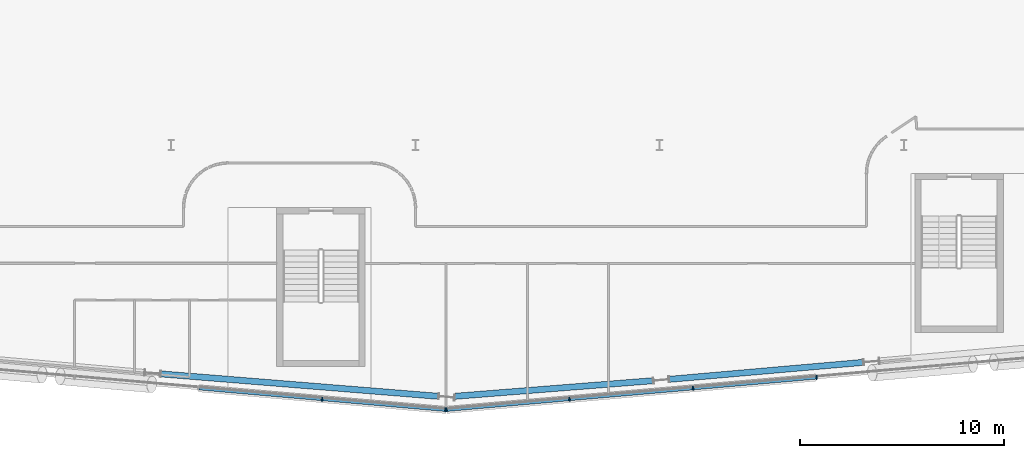
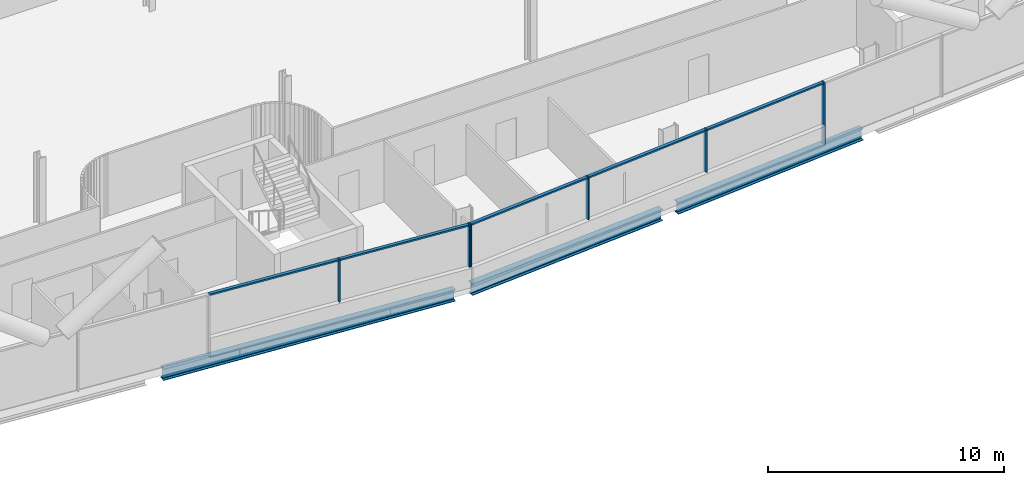
# One storey, part 7 of 31: 11 members, 3 beams, 2 elements without a shape of their own.
"""IFC4 building model written with IfcOpenShell, lengths in metres."""

import ifcopenshell
import ifcopenshell.guid

model = None  # the IFC model being written
_history = None  # IfcOwnerHistory: only IFC2X3 demands one
_inside = {}  # id of a spatial element -> (the spatial element, [elements in it])
_under = {}  # id of a project, library or spatial element -> (it, [spatial elements below it])
_declared = {}  # id of a project -> (the project, [libraries it declares])
_typed = {}  # id of a type object -> (the type object, [elements of that type])
_made_of = {}  # id of a material, layer set ... -> (it, [elements and type objects made of it])


def new_model(schema):
    """Start an empty IFC model of exactly this schema.

    Asked for "IFC4X3", IfcOpenShell would pick the latest addendum, in which some entities
    have other attributes; the version numbers below select the first issue.
    IFC2X3 requires an IfcOwnerHistory on every rooted entity: one is made here for all.
    """
    global model, _history
    if schema == "IFC4X3":
        model = ifcopenshell.file(schema_version=(4, 3, 0, 0))
    else:
        model = ifcopenshell.file(schema=schema)
    _inside.clear()
    _under.clear()
    _declared.clear()
    _typed.clear()
    _made_of.clear()
    _history = None
    if model.schema == "IFC2X3":
        org = make("IfcOrganization", Name="unknown")
        user = make(
            "IfcPersonAndOrganization",
            ThePerson=make("IfcPerson", FamilyName="unknown"),
            TheOrganization=org,
        )
        app = make(
            "IfcApplication",
            ApplicationDeveloper=org,
            Version="unknown",
            ApplicationFullName="unknown",
            ApplicationIdentifier="unknown",
        )
        _history = make(
            "IfcOwnerHistory",
            OwningUser=user,
            OwningApplication=app,
            ChangeAction="ADDED",
            CreationDate=0,
        )
    return model


def make(cls, **values):
    """One entity of the class cls with the attributes given. An attribute that is None is left unset."""
    return model.create_entity(
        cls, **{name: value for name, value in values.items() if value is not None}
    )


def rooted(cls, **values):
    """An entity with a GlobalId (a new one), such as an element, a storey or a relation."""
    return make(cls, GlobalId=ifcopenshell.guid.new(), OwnerHistory=_history, **values)


def si_unit(unit_type, name, prefix=None):
    """IfcSIUnit, for example si_unit("LENGTHUNIT", "METRE", prefix="MILLI")."""
    return make("IfcSIUnit", UnitType=unit_type, Prefix=prefix, Name=name)


def assignment(units):
    """IfcUnitAssignment: the units of a project."""
    return None if units is None else make("IfcUnitAssignment", Units=units)


def point(xyz):
    """IfcCartesianPoint."""
    return None if xyz is None else make("IfcCartesianPoint", Coordinates=xyz)


def direction(xyz):
    """IfcDirection."""
    return None if xyz is None else make("IfcDirection", DirectionRatios=xyz)


def frame(location, z_axis=None, x_axis=None):
    """IfcAxis2Placement3D, a coordinate frame: its origin and axes. An axis left out is left unset."""
    return make(
        "IfcAxis2Placement3D",
        Location=point(location),
        Axis=direction(z_axis),
        RefDirection=direction(x_axis),
    )


def frame_2d(location, x_axis=None):
    """IfcAxis2Placement2D, a coordinate frame in the plane: its origin and x axis."""
    return make(
        "IfcAxis2Placement2D", Location=point(location), RefDirection=direction(x_axis)
    )


def origin():
    """The frame at (0, 0, 0) with its axes left unset."""
    return frame((0.0, 0.0, 0.0))


def origin_2d():
    """The frame at (0, 0) in the plane with its x axis left unset."""
    return frame_2d((0.0, 0.0))


def place(relative_to, where):
    """IfcLocalPlacement: puts the frame where relative to a parent placement (None: the world)."""
    return make(
        "IfcLocalPlacement", PlacementRelTo=relative_to, RelativePlacement=where
    )


def context(
    kind, dimensions, precision=None, world=None, true_north=None, identifier=None
):
    """IfcGeometricRepresentationContext, for example the 3D "Model" context."""
    return make(
        "IfcGeometricRepresentationContext",
        ContextIdentifier=identifier,
        ContextType=kind,
        CoordinateSpaceDimension=dimensions,
        Precision=precision,
        WorldCoordinateSystem=world,
        TrueNorth=true_north,
    )


def subcontext(parent, identifier, kind, view, scale=None):
    """IfcGeometricRepresentationSubContext, for example "Body" below "Model"."""
    return make(
        "IfcGeometricRepresentationSubContext",
        ContextIdentifier=identifier,
        ContextType=kind,
        ParentContext=parent,
        TargetScale=scale,
        TargetView=view,
    )


def project(units=None, contexts=None):
    """IfcProject with its units and contexts."""
    return rooted(
        "IfcProject",
        Name="project",
        RepresentationContexts=contexts,
        UnitsInContext=assignment(units),
    )


def spatial(cls, under=None, at=None, **own):
    """A site, building, storey or space (cls), placed at a placement, below another one or the project."""
    s = rooted(cls, ObjectPlacement=at, **own)
    if under is not None:
        _under.setdefault(under.id(), (under, []))[1].append(s)
    return s


def profile(cls, at=None, kind="AREA", **sizes):
    """A parametric profile (cls). Its sizes go by their IFC names, for example OverallWidth=200.0."""
    return make(cls, ProfileType=kind, Position=at, **sizes)


def rectangle(**sizes):
    """IfcRectangleProfileDef."""
    return profile("IfcRectangleProfileDef", **sizes)


def i_section(**sizes):
    """IfcIShapeProfileDef."""
    return profile("IfcIShapeProfileDef", **sizes)


def extrude(swept, where, along, depth):
    """IfcExtrudedAreaSolid: the profile swept, set in the frame where, extruded along a direction by depth."""
    return make(
        "IfcExtrudedAreaSolid",
        SweptArea=swept,
        Position=where,
        ExtrudedDirection=direction(along),
        Depth=depth,
    )


def shape(context_of_items, identifier, shape_type, items):
    """IfcShapeRepresentation: the items that make up one representation, for example the "Body"."""
    return make(
        "IfcShapeRepresentation",
        ContextOfItems=context_of_items,
        RepresentationIdentifier=identifier,
        RepresentationType=shape_type,
        Items=items,
    )


def material(Name=None, Category=None):
    """IfcMaterial."""
    return make("IfcMaterial", Name=Name, Category=Category)


def material_profile(
    of_material, cross_section, Name=None, Category=None, Priority=None
):
    """IfcMaterialProfile: a cross section and its material."""
    return make(
        "IfcMaterialProfile",
        Name=Name,
        Material=of_material,
        Profile=cross_section,
        Priority=Priority,
        Category=Category,
    )


def profile_set(profiles, Name=None, composite=None):
    """IfcMaterialProfileSet."""
    return make(
        "IfcMaterialProfileSet",
        Name=Name,
        MaterialProfiles=profiles,
        CompositeProfile=composite,
    )


def made_of(thing, what):
    """Note that an element or type object is made of a material, layer set ...; save() writes the relation."""
    if what is not None:
        _made_of.setdefault(what.id(), (what, []))[1].append(thing)
    return thing


def type_object(cls, material=None, **own):
    """A type object (cls), such as IfcWallType, which elements share."""
    return made_of(rooted(cls, **own), material)


def element(
    cls,
    number,
    at=None,
    inside=None,
    cuts=None,
    type_object=None,
    material=None,
    context=None,
    identifier="Body",
    shape_type=None,
    held_by="IfcProductDefinitionShape",
    body=None,
    shapes=None,
    **own,
):
    """One element of the class cls, such as IfcWall. Its Tag is "e" and its number.

    at: its placement. inside: the storey or other place that contains it. cuts: it is an
    opening in that element (IfcRelVoidsElement). A single representation is given by context,
    identifier, shape_type and body (its items); several are given by shapes. held_by: the class
    of the entity that holds the representations. save() writes the other relations.
    """
    e = rooted(cls, Tag="e%d" % number, ObjectPlacement=at, **own)
    if body is not None:
        shapes = [shape(context, identifier, shape_type, body)]
    if shapes is not None:
        e.Representation = make(held_by, Representations=shapes)
    if inside is not None:
        _inside.setdefault(inside.id(), (inside, []))[1].append(e)
    if cuts is not None:
        rooted(
            "IfcRelVoidsElement", RelatingBuildingElement=cuts, RelatedOpeningElement=e
        )
    if type_object is not None:
        _typed.setdefault(type_object.id(), (type_object, []))[1].append(e)
    return made_of(e, material)


def aggregate(whole, parts):
    """IfcRelAggregates: a whole, such as a stair, and the parts it consists of."""
    return rooted("IfcRelAggregates", RelatingObject=whole, RelatedObjects=parts)


def save(model, path):
    """Write the relations noted so far, then the file.

    IfcRelAggregates (storeys below a building ...), IfcRelContainedInSpatialStructure (elements
    in a storey), IfcRelDefinesByType, IfcRelAssociatesMaterial and IfcRelDeclares: one each for
    every whole, place, type object, material and project.
    """
    for whole, parts in _under.values():
        aggregate(whole, parts)
    for where, things in _inside.values():
        rooted(
            "IfcRelContainedInSpatialStructure",
            RelatedElements=things,
            RelatingStructure=where,
        )
    for kind, things in _typed.values():
        rooted("IfcRelDefinesByType", RelatedObjects=things, RelatingType=kind)
    for what, things in _made_of.values():
        rooted("IfcRelAssociatesMaterial", RelatedObjects=things, RelatingMaterial=what)
    for by, libraries in _declared.values():
        rooted("IfcRelDeclares", RelatingContext=by, RelatedDefinitions=libraries)
    model.write(path)


model = new_model("IFC4")

# Units and contexts
model_context = context("Model", 3, precision=1e-05, world=origin(), true_north=direction((0.0, 1.0)))
body_context = subcontext(model_context, "Body", "Model", "MODEL_VIEW")
ifc_project = project(units=[si_unit("LENGTHUNIT", "METRE"), si_unit("AREAUNIT", "SQUARE_METRE"), si_unit("VOLUMEUNIT", "CUBIC_METRE"), si_unit("PLANEANGLEUNIT", "RADIAN"), si_unit("MASSUNIT", "GRAM", prefix="KILO")], contexts=[model_context])

# Site, building, storey
site_placement = place(None, origin())
site = spatial("IfcSite", under=ifc_project, at=site_placement, CompositionType="ELEMENT")
building_placement = place(site_placement, origin())
building = spatial("IfcBuilding", under=site, at=building_placement, Name="Wharfspan Tower", CompositionType="ELEMENT")
storey_placement = place(building_placement, frame((0.0, 0.0, 103.899902)))
storey = spatial("IfcBuildingStorey", under=building, at=storey_placement, Name="L23", CompositionType="ELEMENT", Elevation=103.899902)

# Beams
ifc_material_1 = material(Name="Steel S355J2", Category="steel")
ifc_material_profile_1 = material_profile(ifc_material_1, i_section(OverallWidth=0.300049, OverallDepth=0.600098, WebThickness=0.015381, FlangeThickness=0.030029, FilletRadius=0.0271, at=origin_2d()))
ifc_profile_set_1 = profile_set([ifc_material_profile_1], Name="Steel S355J2")
beam_type = type_object("IfcBeamType", Name="Edge beam HEB 600", PredefinedType="SPANDREL", material=ifc_profile_set_1)
beam_1_placement = place(storey_placement, frame((35.490967, 0.252197, -0.699951), z_axis=(0.996756, -0.080488, 0.0), x_axis=(0.080488, 0.996756, 0.0)))
element("IfcBeam", 1, at=beam_1_placement, inside=storey, type_object=beam_type, Name="Edge beam S1 L23 PS1.3 to PS1.4", PredefinedType="SPANDREL", context=body_context, shape_type="SweptSolid", body=[
    extrude(i_section(OverallWidth=0.300049, OverallDepth=0.600098, WebThickness=0.015381, FlangeThickness=0.030029, FilletRadius=0.0271, at=origin_2d()), origin(), (0.0, 0.0, 1.0), 13.683105),
])
beam_2_placement = place(storey_placement, frame((49.938721, -0.849365, -0.699951), z_axis=(0.996913, 0.078508, 0.0), x_axis=(-0.078508, 0.996913, 0.0)))
element("IfcBeam", 2, at=beam_2_placement, inside=storey, type_object=beam_type, Name="Edge beam S2 L23 PS1.4 to PS2.1", PredefinedType="SPANDREL", context=body_context, shape_type="SweptSolid", body=[
    extrude(i_section(OverallWidth=0.300049, OverallDepth=0.600098, WebThickness=0.015381, FlangeThickness=0.030029, FilletRadius=0.0271, at=origin_2d()), origin(), (0.0, 0.0, 1.0), 9.767578),
])
beam_3_placement = place(storey_placement, frame((60.479492, -0.015625, -0.699951), z_axis=(0.996194, 0.087164, 0.0), x_axis=(-0.087164, 0.996194, 0.0)))
element("IfcBeam", 3, at=beam_3_placement, inside=storey, type_object=beam_type, Name="Edge beam S2 L23 PS2.1 to PS2.2", PredefinedType="SPANDREL", context=body_context, shape_type="SweptSolid", body=[
    extrude(i_section(OverallWidth=0.300049, OverallDepth=0.600098, WebThickness=0.015381, FlangeThickness=0.030029, FilletRadius=0.0271, at=origin_2d()), origin(), (0.0, 0.0, 1.0), 9.55957),
])

# Curtain wall, members
ifc_material_2 = material(Name="Aluminium 6063-T6", Category="aluminium")
curtain_wall_type = type_object("IfcCurtainWallType", Name="CURTAIN WALL FACETED FRONT", PredefinedType="NOTDEFINED", material=ifc_material_2)
curtain_wall_1_placement = place(storey_placement, origin())
curtain_wall_1 = element("IfcCurtainWall", 4, at=curtain_wall_1_placement, inside=storey, type_object=curtain_wall_type, Name="Curtain wall S1", PredefinedType="NOTDEFINED")
ifc_material_profile_2 = material_profile(ifc_material_2, rectangle(XDim=0.199951, YDim=0.060059, at=origin_2d()))
ifc_profile_set_2 = profile_set([ifc_material_profile_2], Name="Aluminium 6063-T6")
member_type_1 = type_object("IfcMemberType", Name="MULLION FACETED FRONT 60x200", PredefinedType="MULLION", material=ifc_profile_set_2)
member_1_placement = place(storey_placement, frame((43.416748, -0.986084, 1.0), z_axis=(0.0, 0.0, 1.0), x_axis=(0.087156, 0.996198, 0.0)))
member_1 = element("IfcMember", 5, at=member_1_placement, type_object=member_type_1, Name="Curtain wall S1 mullion 6", PredefinedType="MULLION", context=body_context, shape_type="SweptSolid", body=[
    extrude(rectangle(XDim=0.199951, YDim=0.060059, at=origin_2d()), origin(), (0.0, 0.0, 1.0), 2.200195),
])
member_2_placement = place(storey_placement, frame((49.470215, -1.515625, 1.0), z_axis=(0.0, 0.0, 1.0), x_axis=(0.087156, 0.996198, 0.0)))
member_2 = element("IfcMember", 6, at=member_2_placement, type_object=member_type_1, Name="Curtain wall S1 mullion 7", PredefinedType="MULLION", context=body_context, shape_type="SweptSolid", body=[
    extrude(rectangle(XDim=0.199951, YDim=0.060059, at=origin_2d()), origin(), (0.0, 0.0, 1.0), 2.200195),
])

curtain_wall_2_placement = place(storey_placement, origin())
curtain_wall_2 = element("IfcCurtainWall", 7, at=curtain_wall_2_placement, inside=storey, type_object=curtain_wall_type, Name="Curtain wall S2", PredefinedType="NOTDEFINED")
member_3_placement = place(storey_placement, frame((49.529785, -1.515625, 1.0), z_axis=(0.0, 0.0, 1.0), x_axis=(-0.087156, 0.996198, 0.0)))
member_3 = element("IfcMember", 8, at=member_3_placement, type_object=member_type_1, Name="Curtain wall S2 mullion 1", PredefinedType="MULLION", context=body_context, shape_type="SweptSolid", body=[
    extrude(rectangle(XDim=0.199951, YDim=0.060059, at=origin_2d()), origin(), (0.0, 0.0, 1.0), 2.200195),
])
member_4_placement = place(storey_placement, frame((55.571533, -0.987061, 1.0), z_axis=(0.0, 0.0, 1.0), x_axis=(-0.087156, 0.996198, 0.0)))
member_4 = element("IfcMember", 9, at=member_4_placement, type_object=member_type_1, Name="Curtain wall S2 mullion 2", PredefinedType="MULLION", context=body_context, shape_type="SweptSolid", body=[
    extrude(rectangle(XDim=0.199951, YDim=0.060059, at=origin_2d()), origin(), (0.0, 0.0, 1.0), 2.200195),
])
member_5_placement = place(storey_placement, frame((61.642822, -0.455811, 1.0), z_axis=(0.0, 0.0, 1.0), x_axis=(-0.087156, 0.996198, 0.0)))
member_5 = element("IfcMember", 10, at=member_5_placement, type_object=member_type_1, Name="Curtain wall S2 mullion 3", PredefinedType="MULLION", context=body_context, shape_type="SweptSolid", body=[
    extrude(rectangle(XDim=0.199951, YDim=0.060059, at=origin_2d()), origin(), (0.0, 0.0, 1.0), 2.200195),
])
member_6_placement = place(storey_placement, frame((67.714355, 0.075195, 0.0), z_axis=(0.0, 0.0, 1.0), x_axis=(-0.087156, 0.996198, 0.0)))
member_6 = element("IfcMember", 11, at=member_6_placement, type_object=member_type_1, Name="Curtain wall S2 mullion 4", PredefinedType="MULLION", context=body_context, shape_type="SweptSolid", body=[
    extrude(rectangle(XDim=0.199951, YDim=0.060059, at=origin_2d()), origin(), (0.0, 0.0, 1.0), 3.200195),
])

# Member
ifc_material_profile_3 = material_profile(ifc_material_2, rectangle(XDim=0.159912, YDim=0.080078, at=origin_2d()))
ifc_profile_set_3 = profile_set([ifc_material_profile_3], Name="Aluminium 6063-T6")
member_type_2 = type_object("IfcMemberType", Name="TRANSOM FACETED FRONT 80x160", PredefinedType="USERDEFINED", material=ifc_profile_set_3)
member_7_placement = place(storey_placement, frame((37.363281, -0.456543, 3.160156), z_axis=(0.996197, -0.087135, 0.0), x_axis=(0.087135, 0.996197, 0.0)))
member_7 = element("IfcMember", 12, at=member_7_placement, type_object=member_type_2, Name="Curtain wall S1 transom 5", ObjectType="TRANSOM", PredefinedType="USERDEFINED", context=body_context, shape_type="SweptSolid", body=[
    extrude(rectangle(XDim=0.159912, YDim=0.080078, at=origin_2d()), origin(), (0.0, 0.0, 1.0), 6.046387),
])

member_8_placement = place(storey_placement, frame((43.446533, -0.98877, 3.160156), z_axis=(0.996198, -0.087122, 0.0), x_axis=(0.087122, 0.996198, 0.0)))
member_8 = element("IfcMember", 13, at=member_8_placement, type_object=member_type_2, Name="Curtain wall S1 transom 6", ObjectType="TRANSOM", PredefinedType="USERDEFINED", context=body_context, shape_type="SweptSolid", body=[
    extrude(rectangle(XDim=0.159912, YDim=0.080078, at=origin_2d()), origin(), (0.0, 0.0, 1.0), 6.016602),
])

aggregate(curtain_wall_1, [member_1, member_2, member_7, member_8])

member_9_placement = place(storey_placement, frame((49.559814, -1.512939, 3.160156), z_axis=(0.996197, 0.087133, 0.0), x_axis=(-0.087133, 0.996197, 0.0)))
member_9 = element("IfcMember", 14, at=member_9_placement, type_object=member_type_2, Name="Curtain wall S2 transom 1", ObjectType="TRANSOM", PredefinedType="USERDEFINED", context=body_context, shape_type="SweptSolid", body=[
    extrude(rectangle(XDim=0.159912, YDim=0.080078, at=origin_2d()), origin(), (0.0, 0.0, 1.0), 6.004639),
])

member_10_placement = place(storey_placement, frame((55.601318, -0.984375, 3.160156), z_axis=(0.996196, 0.087143, 0.0), x_axis=(-0.087143, 0.996196, 0.0)))
member_10 = element("IfcMember", 15, at=member_10_placement, type_object=member_type_2, Name="Curtain wall S2 transom 2", ObjectType="TRANSOM", PredefinedType="USERDEFINED", context=body_context, shape_type="SweptSolid", body=[
    extrude(rectangle(XDim=0.159912, YDim=0.080078, at=origin_2d()), origin(), (0.0, 0.0, 1.0), 6.034668),
])

member_11_placement = place(storey_placement, frame((61.672852, -0.453369, 3.160156), z_axis=(0.996192, 0.087187, 0.0), x_axis=(-0.087187, 0.996192, 0.0)))
member_11 = element("IfcMember", 16, at=member_11_placement, type_object=member_type_2, Name="Curtain wall S2 transom 3", ObjectType="TRANSOM", PredefinedType="USERDEFINED", context=body_context, shape_type="SweptSolid", body=[
    extrude(rectangle(XDim=0.159912, YDim=0.080078, at=origin_2d()), origin(), (0.0, 0.0, 1.0), 6.034424),
])

aggregate(curtain_wall_2, [member_3, member_4, member_5, member_6, member_9, member_10, member_11])

save(model, "model.ifc")
